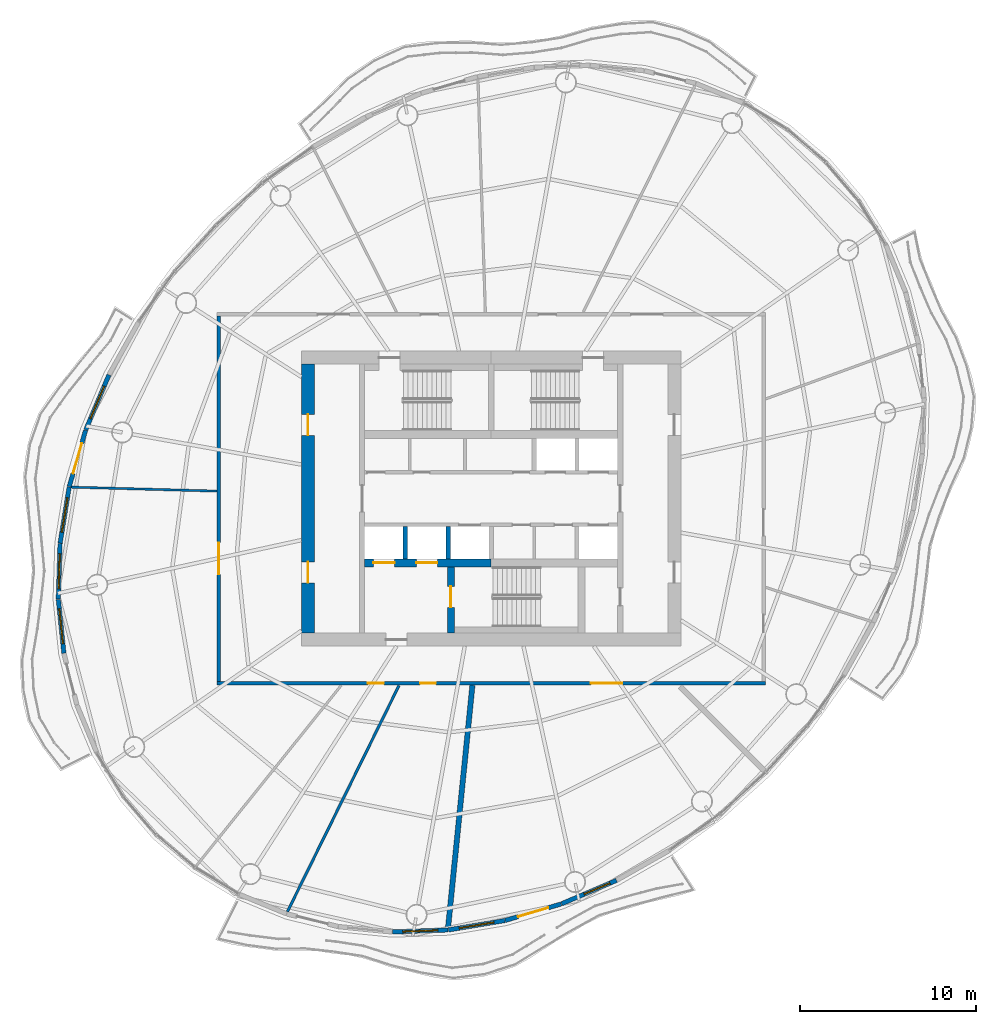
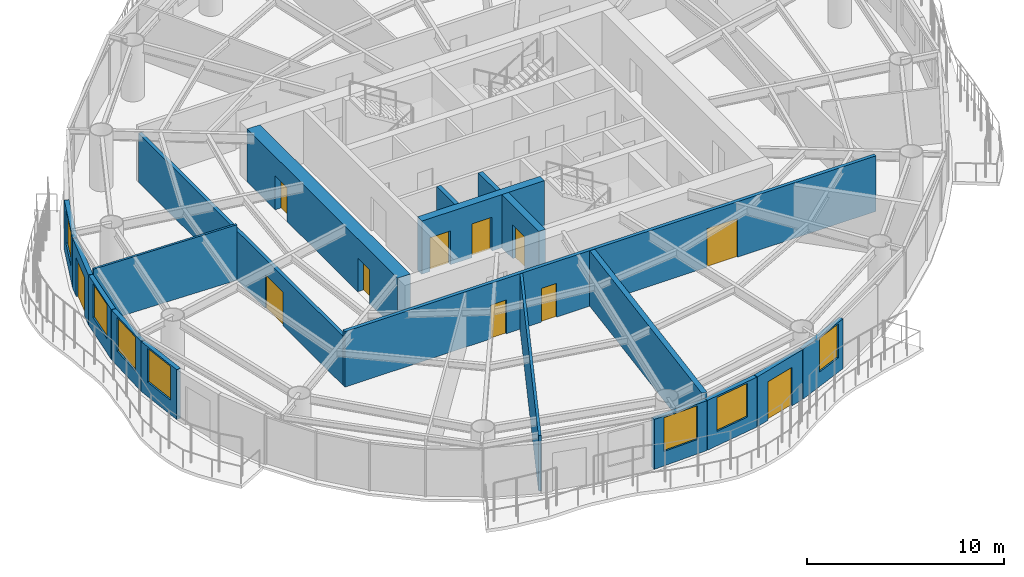
# One storey, part 8 of 14: 19 walls, 11 doors, 7 windows, 18 openings.
"""IFC4 building model written with IfcOpenShell, lengths in metres."""

from ifc_helpers import new_model, si_unit, direction, frame, frame_2d, origin, place, context, subcontext, project, spatial, rectangle, extrude, material, layer, layer_set, type_object, element, fill, save


model = new_model("IFC4")

# Units and contexts
model_context = context("Model", 3, precision=1e-05, world=origin(), true_north=direction((0.0, 1.0)))
body_context = subcontext(model_context, "Body", "Model", "MODEL_VIEW")
ifc_project = project(units=[si_unit("LENGTHUNIT", "METRE"), si_unit("AREAUNIT", "SQUARE_METRE"), si_unit("VOLUMEUNIT", "CUBIC_METRE"), si_unit("PLANEANGLEUNIT", "RADIAN"), si_unit("MASSUNIT", "GRAM", prefix="KILO")], contexts=[model_context])

# Site, building, storey
site_placement = place(None, origin())
site = spatial("IfcSite", under=ifc_project, at=site_placement, CompositionType="ELEMENT")
building_placement = place(site_placement, origin())
building = spatial("IfcBuilding", under=site, at=building_placement, Name="Vermilion Reach Broadcast Tower", CompositionType="ELEMENT")
storey_placement = place(building_placement, frame((0.0, 0.0, 213.699951171875)))
storey = spatial("IfcBuildingStorey", under=building, at=storey_placement, Name="L52", CompositionType="ELEMENT", Elevation=213.699951171875)

# Wall, opening, door
ifc_material_1 = material(Name="Concrete C60", Category="concrete")
ifc_layer_1 = layer(ifc_material_1, 0.39990234375)
ifc_layer_set_1 = layer_set([ifc_layer_1], Name="Core inner wall 400 mm Concrete C60")
wall_type_1 = type_object("IfcWallType", Name="Core inner wall 400 mm Concrete C60", PredefinedType="SHEAR", material=ifc_layer_set_1)
wall_1_placement = place(storey_placement, frame((-8.300048828125, -3.8798828125, 0.0), z_axis=(0.0, 0.0, 1.0), x_axis=(0.0, -1.0, 0.0)))
wall_1 = element("IfcWall", 1, at=wall_1_placement, inside=storey, type_object=wall_type_1, Name="L52 core wall wa", PredefinedType="SHEAR", context=body_context, shape_type="SweptSolid", body=[
    extrude(rectangle(XDim=3.77001953125, YDim=0.39990234375, at=frame_2d((1.885009765625, 0.0))), origin(), (0.0, 0.0, 1.0), 3.300048828125),
])
opening_1_placement = place(wall_1_placement, frame((1.110107421875, 0.0, 0.0)))
opening_1 = element("IfcOpeningElement", 2, at=opening_1_placement, cuts=wall_1, Name="Opening D01", PredefinedType="OPENING", context=body_context, shape_type="SweptSolid", body=[
    extrude(rectangle(XDim=1.199951171875, YDim=2.10009765625, at=frame_2d((0.60009765625, 1.050048828125))), frame((0.0, 0.2099609375, 0.0), z_axis=(0.0, -1.0, 0.0), x_axis=(1.0, 0.0, 0.0)), (0.0, 0.0, 1.0), 0.419921875),
])
ifc_material_2 = material(Name="Painted steel fire door", Category="steel")
door_type_1 = type_object("IfcDoorType", Name="Stair door 1200 x 2100", OperationType="DOUBLE_DOOR_SINGLE_SWING", PredefinedType="NOTDEFINED", material=ifc_material_2)
door_1_placement = place(opening_1_placement, origin())
door_1 = element("IfcDoor", 3, at=door_1_placement, inside=storey, type_object=door_type_1, Name="L52 stair door ST3", OperationType="DOUBLE_DOOR_SINGLE_SWING", OverallHeight=2.10009765625, OverallWidth=1.199951171875, PredefinedType="NOTDEFINED", context=body_context, shape_type="SweptSolid", body=[
    extrude(rectangle(XDim=1.199951171875, YDim=2.10009765625, at=frame_2d((0.60009765625, 1.050048828125))), frame((0.0, 0.02490234375, 0.0), z_axis=(0.0, -1.0, 0.0), x_axis=(1.0, 0.0, 0.0)), (0.0, 0.0, 1.0), 0.050048828125),
])
fill(opening_1, door_1)

# Wall, openings, doors
ifc_material_3 = material(Name="Concrete C60", Category="concrete")
ifc_layer_2 = layer(ifc_material_3, 0.449951171875)
ifc_layer_set_2 = layer_set([ifc_layer_2], Name="Core inner wall 450 mm Concrete C60")
wall_type_2 = type_object("IfcWallType", Name="Core inner wall 450 mm Concrete C60", PredefinedType="SHEAR", material=ifc_layer_set_2)
wall_2_placement = place(storey_placement, frame((-13.199951171875, -3.655029296875, 0.0), z_axis=(0.0, 0.0, 1.0), x_axis=(1.0, 0.0, 0.0)))
wall_2 = element("IfcWall", 4, at=wall_2_placement, inside=storey, type_object=wall_type_2, Name="L52 core wall wisW", PredefinedType="SHEAR", context=body_context, shape_type="SweptSolid", body=[
    extrude(rectangle(XDim=7.199951171875, YDim=0.449951171875, at=frame_2d((3.60009765625, 0.0))), origin(), (0.0, 0.0, 1.0), 3.300048828125),
])
opening_2_placement = place(wall_2_placement, frame((0.495849609375, 0.0, 0.0)))
opening_2 = element("IfcOpeningElement", 5, at=opening_2_placement, cuts=wall_2, Name="Opening LD1", PredefinedType="OPENING", context=body_context, shape_type="SweptSolid", body=[
    extrude(rectangle(XDim=1.199951171875, YDim=2.10009765625, at=frame_2d((0.60009765625, 1.050048828125))), frame((0.0, 0.23486328125, 0.0), z_axis=(0.0, -1.0, 0.0), x_axis=(1.0, 0.0, 0.0)), (0.0, 0.0, 1.0), 0.469970703125),
])
opening_3_placement = place(wall_2_placement, frame((2.9375, 0.0, 0.0)))
opening_3 = element("IfcOpeningElement", 6, at=opening_3_placement, cuts=wall_2, Name="Opening LD1", PredefinedType="OPENING", context=body_context, shape_type="SweptSolid", body=[
    extrude(rectangle(XDim=1.199951171875, YDim=2.10009765625, at=frame_2d((0.60009765625, 1.050048828125))), frame((0.0, 0.23486328125, 0.0), z_axis=(0.0, -1.0, 0.0), x_axis=(1.0, 0.0, 0.0)), (0.0, 0.0, 1.0), 0.469970703125),
])
ifc_material_4 = material(Name="Stainless steel", Category="steel")
door_type_2 = type_object("IfcDoorType", Name="Landing door 1200 x 2100", OperationType="DOUBLE_DOOR_SLIDING", PredefinedType="NOTDEFINED", material=ifc_material_4)
door_2_placement = place(opening_2_placement, origin())
door_2 = element("IfcDoor", 7, at=door_2_placement, inside=storey, type_object=door_type_2, Name="L52 landing door FF1", OperationType="DOUBLE_DOOR_SLIDING", OverallHeight=2.10009765625, OverallWidth=1.199951171875, PredefinedType="NOTDEFINED", context=body_context, shape_type="SweptSolid", body=[
    extrude(rectangle(XDim=1.199951171875, YDim=2.10009765625, at=frame_2d((0.60009765625, 1.050048828125))), frame((0.0, 0.02490234375, 0.0), z_axis=(0.0, -1.0, 0.0), x_axis=(1.0, 0.0, 0.0)), (0.0, 0.0, 1.0), 0.050048828125),
])
fill(opening_2, door_2)
door_3_placement = place(opening_3_placement, origin())
door_3 = element("IfcDoor", 8, at=door_3_placement, inside=storey, type_object=door_type_2, Name="L52 landing door FF2", OperationType="DOUBLE_DOOR_SLIDING", OverallHeight=2.10009765625, OverallWidth=1.199951171875, PredefinedType="NOTDEFINED", context=body_context, shape_type="SweptSolid", body=[
    extrude(rectangle(XDim=1.199951171875, YDim=2.10009765625, at=frame_2d((0.60009765625, 1.050048828125))), frame((0.0, 0.02490234375, 0.0), z_axis=(0.0, -1.0, 0.0), x_axis=(1.0, 0.0, 0.0)), (0.0, 0.0, 1.0), 0.050048828125),
])
fill(opening_3, door_3)

ifc_material_5 = material(Name="Concrete C60", Category="concrete")
ifc_layer_3 = layer(ifc_material_5, 0.75)
ifc_layer_set_3 = layer_set([ifc_layer_3], Name="Core outer wall 750 mm Concrete C60")
wall_type_3 = type_object("IfcWallType", Name="Core outer wall 750 mm Concrete C60", PredefinedType="SHEAR", material=ifc_layer_set_3)
wall_3_placement = place(storey_placement, frame((-16.425048828125, 7.64990234375, 0.0), z_axis=(0.0, 0.0, 1.0), x_axis=(0.0, -1.0, 0.0)))
wall_3 = element("IfcWall", 9, at=wall_3_placement, inside=storey, type_object=wall_type_3, Name="L52 core wall ow", PredefinedType="SHEAR", context=body_context, shape_type="SweptSolid", body=[
    extrude(rectangle(XDim=15.2998046875, YDim=0.75, at=frame_2d((7.64990234375, 0.0))), origin(), (0.0, 0.0, 1.0), 3.300048828125),
])
opening_4_placement = place(wall_3_placement, frame((11.25, 0.0, 0.0)))
opening_4 = element("IfcOpeningElement", 10, at=opening_4_placement, cuts=wall_3, Name="Opening D03", PredefinedType="OPENING", context=body_context, shape_type="SweptSolid", body=[
    extrude(rectangle(XDim=1.199951171875, YDim=2.10009765625, at=frame_2d((0.60009765625, 1.050048828125))), frame((0.0, 0.385009765625, 0.0), z_axis=(0.0, -1.0, 0.0), x_axis=(1.0, 0.0, 0.0)), (0.0, 0.0, 1.0), 0.77001953125),
])
opening_5_placement = place(wall_3_placement, frame((2.85009765625, 0.0, 0.0)))
opening_5 = element("IfcOpeningElement", 11, at=opening_5_placement, cuts=wall_3, Name="Opening D03", PredefinedType="OPENING", context=body_context, shape_type="SweptSolid", body=[
    extrude(rectangle(XDim=1.199951171875, YDim=2.10009765625, at=frame_2d((0.60009765625, 1.050048828125))), frame((0.0, 0.385009765625, 0.0), z_axis=(0.0, -1.0, 0.0), x_axis=(1.0, 0.0, 0.0)), (0.0, 0.0, 1.0), 0.77001953125),
])
ifc_material_6 = material(Name="Painted steel fire door", Category="steel")
door_type_3 = type_object("IfcDoorType", Name="Core lobby door 1200 x 2100", OperationType="DOUBLE_DOOR_SINGLE_SWING", PredefinedType="NOTDEFINED", material=ifc_material_6)
door_4_placement = place(opening_4_placement, origin())
door_4 = element("IfcDoor", 12, at=door_4_placement, inside=storey, type_object=door_type_3, Name="L52 slot door W0", OperationType="DOUBLE_DOOR_SINGLE_SWING", OverallHeight=2.10009765625, OverallWidth=1.199951171875, PredefinedType="NOTDEFINED", context=body_context, shape_type="SweptSolid", body=[
    extrude(rectangle(XDim=1.199951171875, YDim=2.10009765625, at=frame_2d((0.60009765625, 1.050048828125))), frame((0.0, 0.02490234375, 0.0), z_axis=(0.0, -1.0, 0.0), x_axis=(1.0, 0.0, 0.0)), (0.0, 0.0, 1.0), 0.050048828125),
])
fill(opening_4, door_4)
door_5_placement = place(opening_5_placement, origin())
door_5 = element("IfcDoor", 13, at=door_5_placement, inside=storey, type_object=door_type_3, Name="L52 slot door W1", OperationType="DOUBLE_DOOR_SINGLE_SWING", OverallHeight=2.10009765625, OverallWidth=1.199951171875, PredefinedType="NOTDEFINED", context=body_context, shape_type="SweptSolid", body=[
    extrude(rectangle(XDim=1.199951171875, YDim=2.10009765625, at=frame_2d((0.60009765625, 1.050048828125))), frame((0.0, 0.02490234375, 0.0), z_axis=(0.0, -1.0, 0.0), x_axis=(1.0, 0.0, 0.0)), (0.0, 0.0, 1.0), 0.050048828125),
])
fill(opening_5, door_5)

# Walls
ifc_material_7 = material(Name="Concrete C50", Category="concrete")
ifc_layer_4 = layer(ifc_material_7, 0.25)
ifc_layer_set_4 = layer_set([ifc_layer_4], Name="Core shaft wall 250 mm Concrete C50")
wall_type_4 = type_object("IfcWallType", Name="Core shaft wall 250 mm Concrete C50", PredefinedType="SHEAR", material=ifc_layer_set_4)
for number, where, z_axis, x_axis, name in (
    (14, (-10.88330078125, -1.60009765625, 0.0), (0.0, 0.0, 1.0), (0.0, -1.0, 0.0), "L52 core wall psS0"),
    (15, (-8.441650390625, -1.60009765625, 0.0), (0.0, 0.0, 1.0), (0.0, -1.0, 0.0), "L52 core wall psS1"),
):
    element("IfcWall", number, at=place(storey_placement, frame(where, z_axis=z_axis, x_axis=x_axis)), inside=storey, type_object=wall_type_4, Name=name, PredefinedType="SHEAR", context=body_context, shape_type="SweptSolid", body=[
        extrude(rectangle(XDim=1.829833984375, YDim=0.25, at=frame_2d((0.9150390625, 0.0))), origin(), (0.0, 0.0, 1.0), 3.300048828125),
    ])

# Wall, openings, doors
ifc_material_8 = material(Name="Fire-rated gypsum board partition")
ifc_layer_5 = layer(ifc_material_8, 0.199951171875)
ifc_layer_set_5 = layer_set([ifc_layer_5], Name="Corridor wall 200 fire-rated")
wall_type_5 = type_object("IfcWallType", Name="Corridor wall 200 fire-rated", PredefinedType="PARTITIONING", material=ifc_layer_set_5)
wall_4_placement = place(storey_placement, frame((9.60009765625, -10.5, 0.0), z_axis=(0.0, 0.0, 1.0), x_axis=(-1.0, 0.0, 0.0)))
wall_4 = element("IfcWall", 16, at=wall_4_placement, inside=storey, type_object=wall_type_5, Name="Corridor wall 52.S", PredefinedType="PARTITIONING", context=body_context, shape_type="SweptSolid", body=[
    extrude(rectangle(XDim=31.2001953125, YDim=0.199951171875, at=frame_2d((15.60009765625, 0.0))), origin(), (0.0, 0.0, 1.0), 3.449951171875),
])
opening_6_placement = place(wall_4_placement, frame((21.715087890625, 0.0, 0.0)))
opening_6 = element("IfcOpeningElement", 17, at=opening_6_placement, cuts=wall_4, Name="Opening D22", PredefinedType="OPENING", context=body_context, shape_type="SweptSolid", body=[
    extrude(rectangle(XDim=0.89990234375, YDim=2.10009765625, at=frame_2d((0.449951171875, 1.050048828125))), frame((0.0, 0.10986328125, 0.0), z_axis=(0.0, -1.0, 0.0), x_axis=(1.0, 0.0, 0.0)), (0.0, 0.0, 1.0), 0.219970703125),
])
opening_7_placement = place(wall_4_placement, frame((18.750732421875, 0.0, 0.0)))
opening_7 = element("IfcOpeningElement", 18, at=opening_7_placement, cuts=wall_4, Name="Opening D22", PredefinedType="OPENING", context=body_context, shape_type="SweptSolid", body=[
    extrude(rectangle(XDim=0.89990234375, YDim=2.10009765625, at=frame_2d((0.449951171875, 1.050048828125))), frame((0.0, 0.10986328125, 0.0), z_axis=(0.0, -1.0, 0.0), x_axis=(1.0, 0.0, 0.0)), (0.0, 0.0, 1.0), 0.219970703125),
])
opening_8_placement = place(wall_4_placement, frame((8.128662109375, 0.0, 0.0)))
opening_8 = element("IfcOpeningElement", 19, at=opening_8_placement, cuts=wall_4, Name="Opening D27", PredefinedType="OPENING", context=body_context, shape_type="SweptSolid", body=[
    extrude(rectangle(XDim=1.800048828125, YDim=2.39990234375, at=frame_2d((0.89990234375, 1.199951171875))), frame((0.0, 0.10986328125, 0.0), z_axis=(0.0, -1.0, 0.0), x_axis=(1.0, 0.0, 0.0)), (0.0, 0.0, 1.0), 0.219970703125),
])
ifc_material_9 = material(Name="Acoustic timber door leaf", Category="wood")
door_type_4 = type_object("IfcDoorType", Name="Door pair 1800x2400", OperationType="NOTDEFINED", PredefinedType="DOOR", material=ifc_material_9)
door_6_placement = place(opening_8_placement, origin())
door_6 = element("IfcDoor", 20, at=door_6_placement, inside=storey, type_object=door_type_4, Name="Door 52.07", OperationType="DOUBLE_DOOR_SINGLE_SWING", OverallHeight=2.39990234375, OverallWidth=1.800048828125, PredefinedType="DOOR", context=body_context, shape_type="SweptSolid", body=[
    extrude(rectangle(XDim=1.800048828125, YDim=2.39990234375, at=frame_2d((0.89990234375, 1.199951171875))), frame((0.0, 0.02490234375, 0.0), z_axis=(0.0, -1.0, 0.0), x_axis=(1.0, 0.0, 0.0)), (0.0, 0.0, 1.0), 0.050048828125),
])
fill(opening_8, door_6)
ifc_material_10 = material(Name="Timber door leaf", Category="wood")
door_type_5 = type_object("IfcDoorType", Name="Door single 900x2100", OperationType="NOTDEFINED", PredefinedType="DOOR", material=ifc_material_10)
door_7_placement = place(opening_6_placement, origin())
door_7 = element("IfcDoor", 21, at=door_7_placement, inside=storey, type_object=door_type_5, Name="Door 52.05", OperationType="SINGLE_SWING_LEFT", OverallHeight=2.10009765625, OverallWidth=0.89990234375, PredefinedType="DOOR", context=body_context, shape_type="SweptSolid", body=[
    extrude(rectangle(XDim=0.89990234375, YDim=2.10009765625, at=frame_2d((0.449951171875, 1.050048828125))), frame((0.0, 0.02490234375, 0.0), z_axis=(0.0, -1.0, 0.0), x_axis=(1.0, 0.0, 0.0)), (0.0, 0.0, 1.0), 0.050048828125),
])
fill(opening_6, door_7)
door_8_placement = place(opening_7_placement, origin())
door_8 = element("IfcDoor", 22, at=door_8_placement, inside=storey, type_object=door_type_5, Name="Door 52.06", OperationType="SINGLE_SWING_RIGHT", OverallHeight=2.10009765625, OverallWidth=0.89990234375, PredefinedType="DOOR", context=body_context, shape_type="SweptSolid", body=[
    extrude(rectangle(XDim=0.89990234375, YDim=2.10009765625, at=frame_2d((0.449951171875, 1.050048828125))), frame((0.0, 0.02490234375, 0.0), z_axis=(0.0, -1.0, 0.0), x_axis=(1.0, 0.0, 0.0)), (0.0, 0.0, 1.0), 0.050048828125),
])
fill(opening_7, door_8)

# Walls
ifc_material_11 = material(Name="Fire-rated plasterboard on steel stud", Category="steel")
ifc_layer_6 = layer(ifc_material_11, 0.125)
ifc_layer_set_6 = layer_set([ifc_layer_6], Name="Partition 125 fire-rated stud")
wall_type_6 = type_object("IfcWallType", Name="Partition 125 fire-rated stud", PredefinedType="PARTITIONING", material=ifc_layer_set_6)
wall_5_placement = place(storey_placement, frame((-29.895263671875, 0.65380859375, 0.0), z_axis=(0.0, 0.0, 1.0), x_axis=(0.999626262379, -0.02733743885, 0.0)))
element("IfcWall", 23, at=wall_5_placement, inside=storey, type_object=wall_type_6, Name="Partition 52.04", PredefinedType="PARTITIONING", context=body_context, shape_type="SweptSolid", body=[
    extrude(rectangle(XDim=8.296630859375, YDim=0.125, at=frame_2d((4.1484375, 0.0))), origin(), (0.0, 0.0, 1.0), 3.449951171875),
])
ifc_material_12 = material(Name="Lightweight concrete block, plastered", Category="concrete")
ifc_layer_7 = layer(ifc_material_12, 0.14990234375)
ifc_layer_set_7 = layer_set([ifc_layer_7], Name="Partition 150 lightweight block")
wall_type_7 = type_object("IfcWallType", Name="Partition 150 lightweight block", PredefinedType="PARTITIONING", material=ifc_layer_set_7)
wall_6_placement = place(storey_placement, frame((-17.6025390625, -23.515380859375, 0.0), z_axis=(0.0, 0.0, 1.0), x_axis=(0.442482556449, 0.896777111237, 0.0)))
element("IfcWall", 24, at=wall_6_placement, inside=storey, type_object=wall_type_7, Name="Partition 52.06", PredefinedType="PARTITIONING", context=body_context, shape_type="SweptSolid", body=[
    extrude(rectangle(XDim=14.36474609375, YDim=0.14990234375, at=frame_2d((7.182373046875, 0.0))), origin(), (0.0, 0.0, 1.0), 3.449951171875),
])
ifc_material_13 = material(Name="Double-leaf plasterboard on isolated steel stud", Category="steel")
ifc_layer_8 = layer(ifc_material_13, 0.300048828125)
ifc_layer_set_8 = layer_set([ifc_layer_8], Name="Partition 300 acoustic double leaf")
wall_type_8 = type_object("IfcWallType", Name="Partition 300 acoustic double leaf", PredefinedType="PARTITIONING", material=ifc_layer_set_8)
wall_7_placement = place(storey_placement, frame((-8.4560546875, -24.4248046875, 0.0), z_axis=(0.0, 0.0, 1.0), x_axis=(0.100052305019, 0.994982178866, 0.0)))
element("IfcWall", 25, at=wall_7_placement, inside=storey, type_object=wall_type_8, Name="Partition 52.07", PredefinedType="PARTITIONING", context=body_context, shape_type="SweptSolid", body=[
    extrude(rectangle(XDim=13.87939453125, YDim=0.300048828125, at=frame_2d((6.939697265625, 0.0))), origin(), (0.0, 0.0, 1.0), 3.449951171875),
])

# Wall, opening, window
ifc_material_14 = material(Name="Terracotta rainscreen cladding", Category="masonry")
ifc_layer_9 = layer(ifc_material_14, 0.25)
ifc_layer_set_9 = layer_set([ifc_layer_9], Name="Terracotta rainscreen wall 250")
wall_type_9 = type_object("IfcWallType", Name="Terracotta rainscreen wall 250", PredefinedType="SOLIDWALL", material=ifc_layer_set_9)
wall_8_placement = place(storey_placement, frame((-27.758056640625, 7.040771484375, 0.0), z_axis=(0.0, 0.0, 1.0), x_axis=(-0.388763390527, -0.921337628769, 0.0)))
wall_8 = element("IfcWall", 26, at=wall_8_placement, inside=storey, type_object=wall_type_9, Name="External wall L52 15", PredefinedType="SOLIDWALL", context=body_context, shape_type="SweptSolid", body=[
    extrude(rectangle(XDim=3.398681640625, YDim=0.25, at=frame_2d((1.69921875, 0.0))), origin(), (0.0, 0.0, 1.0), 3.10009765625),
])
opening_9_placement = place(wall_8_placement, frame((0.69921875, 0.0, 0.89990234375)))
opening_9 = element("IfcOpeningElement", 27, at=opening_9_placement, cuts=wall_8, Name="Opening W03", PredefinedType="OPENING", context=body_context, shape_type="SweptSolid", body=[
    extrude(rectangle(XDim=2.0, YDim=2.10009765625, at=frame_2d((1.0, 1.050048828125))), frame((0.0, 0.135009765625, 0.0), z_axis=(0.0, -1.0, 0.0), x_axis=(1.0, 0.0, 0.0)), (0.0, 0.0, 1.0), 0.27001953125),
])
ifc_material_15 = material(Name="Low-e laminated clear glass in aluminium frame", Category="aluminium")
window_type_1 = type_object("IfcWindowType", Name="Punched window 2000 x 2100 sill 900", PartitioningType="SINGLE_PANEL", PredefinedType="WINDOW", material=ifc_material_15)
window_1_placement = place(opening_9_placement, origin())
window_1 = element("IfcWindow", 28, at=window_1_placement, inside=storey, type_object=window_type_1, Name="Window L52 15", OverallHeight=2.10009765625, OverallWidth=2.0, PartitioningType="SINGLE_PANEL", PredefinedType="WINDOW", context=body_context, shape_type="SweptSolid", body=[
    extrude(rectangle(XDim=2.0, YDim=2.10009765625, at=frame_2d((1.0, 1.050048828125))), frame((0.0, 0.030029296875, 0.0), z_axis=(0.0, -1.0, 0.0), x_axis=(1.0, 0.0, 0.0)), (0.0, 0.0, 1.0), 0.06005859375),
])
fill(opening_9, window_1)

# Wall, opening, door
wall_9_placement = place(storey_placement, frame((-29.0869140625, 3.88818359375, 0.0), z_axis=(0.0, 0.0, 1.0), x_axis=(-0.278604991916, -0.960405778033, 0.0)))
wall_9 = element("IfcWall", 29, at=wall_9_placement, inside=storey, type_object=wall_type_9, Name="External wall L52 16", PredefinedType="SOLIDWALL", context=body_context, shape_type="SweptSolid", body=[
    extrude(rectangle(XDim=3.327392578125, YDim=0.25, at=frame_2d((1.66357421875, 0.0))), origin(), (0.0, 0.0, 1.0), 3.10009765625),
])
opening_10_placement = place(wall_9_placement, frame((0.763916015625, 0.0, 0.0)))
opening_10 = element("IfcOpeningElement", 30, at=opening_10_placement, cuts=wall_9, Name="Opening D70", PredefinedType="OPENING", context=body_context, shape_type="SweptSolid", body=[
    extrude(rectangle(XDim=1.800048828125, YDim=2.39990234375, at=frame_2d((0.89990234375, 1.199951171875))), frame((0.0, 0.135009765625, 0.0), z_axis=(0.0, -1.0, 0.0), x_axis=(1.0, 0.0, 0.0)), (0.0, 0.0, 1.0), 0.27001953125),
])
ifc_material_16 = material(Name="Low-e laminated clear glass in aluminium frame", Category="aluminium")
door_type_6 = type_object("IfcDoorType", Name="Balcony sliding door 1800 x 2400", OperationType="DOUBLE_DOOR_SLIDING", PredefinedType="DOOR", material=ifc_material_16)
door_9_placement = place(opening_10_placement, origin())
door_9 = element("IfcDoor", 31, at=door_9_placement, inside=storey, type_object=door_type_6, Name="Balcony door L52 run 04", OperationType="DOUBLE_DOOR_SLIDING", OverallHeight=2.39990234375, OverallWidth=1.800048828125, PredefinedType="DOOR", context=body_context, shape_type="SweptSolid", body=[
    extrude(rectangle(XDim=1.800048828125, YDim=2.39990234375, at=frame_2d((0.89990234375, 1.199951171875))), frame((0.0, 0.02490234375, 0.0), z_axis=(0.0, -1.0, 0.0), x_axis=(1.0, 0.0, 0.0)), (0.0, 0.0, 1.0), 0.050048828125),
])
fill(opening_10, door_9)

# Wall, opening, window
wall_10_placement = place(storey_placement, frame((-30.01904296875, 0.669921875, 0.0), z_axis=(0.0, 0.0, 1.0), x_axis=(-0.159457089841, -0.987204860452, 0.0)))
wall_10 = element("IfcWall", 32, at=wall_10_placement, inside=storey, type_object=wall_type_9, Name="External wall L52 17", PredefinedType="SOLIDWALL", context=body_context, shape_type="SweptSolid", body=[
    extrude(rectangle(XDim=3.245849609375, YDim=0.25, at=frame_2d((1.623046875, 0.0))), origin(), (0.0, 0.0, 1.0), 3.10009765625),
])
opening_11_placement = place(wall_10_placement, frame((0.623046875, 0.0, 0.89990234375)))
opening_11 = element("IfcOpeningElement", 33, at=opening_11_placement, cuts=wall_10, Name="Opening W03", PredefinedType="OPENING", context=body_context, shape_type="SweptSolid", body=[
    extrude(rectangle(XDim=2.0, YDim=2.10009765625, at=frame_2d((1.0, 1.050048828125))), frame((0.0, 0.135009765625, 0.0), z_axis=(0.0, -1.0, 0.0), x_axis=(1.0, 0.0, 0.0)), (0.0, 0.0, 1.0), 0.27001953125),
])
window_2_placement = place(opening_11_placement, origin())
window_2 = element("IfcWindow", 34, at=window_2_placement, inside=storey, type_object=window_type_1, Name="Window L52 17", OverallHeight=2.10009765625, OverallWidth=2.0, PartitioningType="SINGLE_PANEL", PredefinedType="WINDOW", context=body_context, shape_type="SweptSolid", body=[
    extrude(rectangle(XDim=2.0, YDim=2.10009765625, at=frame_2d((1.0, 1.050048828125))), frame((0.0, 0.030029296875, 0.0), z_axis=(0.0, -1.0, 0.0), x_axis=(1.0, 0.0, 0.0)), (0.0, 0.0, 1.0), 0.06005859375),
])
fill(opening_11, window_2)

wall_11_placement = place(storey_placement, frame((-30.5390625, -2.558349609375, 0.0), z_axis=(0.0, 0.0, 1.0), x_axis=(-0.031760681262, -0.999495502304, 0.0)))
wall_11 = element("IfcWall", 35, at=wall_11_placement, inside=storey, type_object=wall_type_9, Name="External wall L52 18", PredefinedType="SOLIDWALL", context=body_context, shape_type="SweptSolid", body=[
    extrude(rectangle(XDim=3.159423828125, YDim=0.25, at=frame_2d((1.57958984375, 0.0))), origin(), (0.0, 0.0, 1.0), 3.10009765625),
])
opening_12_placement = place(wall_11_placement, frame((0.57958984375, 0.0, 0.89990234375)))
opening_12 = element("IfcOpeningElement", 36, at=opening_12_placement, cuts=wall_11, Name="Opening W03", PredefinedType="OPENING", context=body_context, shape_type="SweptSolid", body=[
    extrude(rectangle(XDim=2.0, YDim=2.10009765625, at=frame_2d((1.0, 1.050048828125))), frame((0.0, 0.135009765625, 0.0), z_axis=(0.0, -1.0, 0.0), x_axis=(1.0, 0.0, 0.0)), (0.0, 0.0, 1.0), 0.27001953125),
])
window_3_placement = place(opening_12_placement, origin())
window_3 = element("IfcWindow", 37, at=window_3_placement, inside=storey, type_object=window_type_1, Name="Window L52 18", OverallHeight=2.10009765625, OverallWidth=2.0, PartitioningType="SINGLE_PANEL", PredefinedType="WINDOW", context=body_context, shape_type="SweptSolid", body=[
    extrude(rectangle(XDim=2.0, YDim=2.10009765625, at=frame_2d((1.0, 1.050048828125))), frame((0.0, 0.030029296875, 0.0), z_axis=(0.0, -1.0, 0.0), x_axis=(1.0, 0.0, 0.0)), (0.0, 0.0, 1.0), 0.06005859375),
])
fill(opening_12, window_3)

wall_12_placement = place(storey_placement, frame((-30.638671875, -5.740966796875, 0.0), z_axis=(0.0, 0.0, 1.0), x_axis=(0.10327045025, -0.994653313524, 0.0)))
wall_12 = element("IfcWall", 38, at=wall_12_placement, inside=storey, type_object=wall_type_9, Name="External wall L52 19", PredefinedType="SOLIDWALL", context=body_context, shape_type="SweptSolid", body=[
    extrude(rectangle(XDim=3.0732421875, YDim=0.25, at=frame_2d((1.53662109375, 0.0))), origin(), (0.0, 0.0, 1.0), 3.10009765625),
])
opening_13_placement = place(wall_12_placement, frame((0.53662109375, 0.0, 0.89990234375)))
opening_13 = element("IfcOpeningElement", 39, at=opening_13_placement, cuts=wall_12, Name="Opening W03", PredefinedType="OPENING", context=body_context, shape_type="SweptSolid", body=[
    extrude(rectangle(XDim=2.0, YDim=2.10009765625, at=frame_2d((1.0, 1.050048828125))), frame((0.0, 0.135009765625, 0.0), z_axis=(0.0, -1.0, 0.0), x_axis=(1.0, 0.0, 0.0)), (0.0, 0.0, 1.0), 0.27001953125),
])
window_4_placement = place(opening_13_placement, origin())
window_4 = element("IfcWindow", 40, at=window_4_placement, inside=storey, type_object=window_type_1, Name="Window L52 19", OverallHeight=2.10009765625, OverallWidth=2.0, PartitioningType="SINGLE_PANEL", PredefinedType="WINDOW", context=body_context, shape_type="SweptSolid", body=[
    extrude(rectangle(XDim=2.0, YDim=2.10009765625, at=frame_2d((1.0, 1.050048828125))), frame((0.0, 0.030029296875, 0.0), z_axis=(0.0, -1.0, 0.0), x_axis=(1.0, 0.0, 0.0)), (0.0, 0.0, 1.0), 0.06005859375),
])
fill(opening_13, window_4)

wall_13_placement = place(storey_placement, frame((-11.61279296875, -24.663330078125, 0.0), z_axis=(0.0, 0.0, 1.0), x_axis=(0.999351383862, 0.036011270096, 0.0)))
wall_13 = element("IfcWall", 41, at=wall_13_placement, inside=storey, type_object=wall_type_9, Name="External wall L52 29", PredefinedType="SOLIDWALL", context=body_context, shape_type="SweptSolid", body=[
    extrude(rectangle(XDim=3.1591796875, YDim=0.25, at=frame_2d((1.57958984375, 0.0))), origin(), (0.0, 0.0, 1.0), 3.10009765625),
])
opening_14_placement = place(wall_13_placement, frame((0.57958984375, 0.0, 0.89990234375)))
opening_14 = element("IfcOpeningElement", 42, at=opening_14_placement, cuts=wall_13, Name="Opening W03", PredefinedType="OPENING", context=body_context, shape_type="SweptSolid", body=[
    extrude(rectangle(XDim=2.0, YDim=2.10009765625, at=frame_2d((1.0, 1.050048828125))), frame((0.0, 0.135009765625, 0.0), z_axis=(0.0, -1.0, 0.0), x_axis=(1.0, 0.0, 0.0)), (0.0, 0.0, 1.0), 0.27001953125),
])
window_5_placement = place(opening_14_placement, origin())
window_5 = element("IfcWindow", 43, at=window_5_placement, inside=storey, type_object=window_type_1, Name="Window L52 29", OverallHeight=2.10009765625, OverallWidth=2.0, PartitioningType="SINGLE_PANEL", PredefinedType="WINDOW", context=body_context, shape_type="SweptSolid", body=[
    extrude(rectangle(XDim=2.0, YDim=2.10009765625, at=frame_2d((1.0, 1.050048828125))), frame((0.0, 0.030029296875, 0.0), z_axis=(0.0, -1.0, 0.0), x_axis=(1.0, 0.0, 0.0)), (0.0, 0.0, 1.0), 0.06005859375),
])
fill(opening_14, window_5)

wall_14_placement = place(storey_placement, frame((-8.431640625, -24.547119140625, 0.0), z_axis=(0.0, 0.0, 1.0), x_axis=(0.986515622096, 0.163667123641, 0.0)))
wall_14 = element("IfcWall", 44, at=wall_14_placement, inside=storey, type_object=wall_type_9, Name="External wall L52 30", PredefinedType="SOLIDWALL", context=body_context, shape_type="SweptSolid", body=[
    extrude(rectangle(XDim=3.245849609375, YDim=0.25, at=frame_2d((1.623046875, 0.0))), origin(), (0.0, 0.0, 1.0), 3.10009765625),
])
opening_15_placement = place(wall_14_placement, frame((0.623046875, 0.0, 0.89990234375)))
opening_15 = element("IfcOpeningElement", 45, at=opening_15_placement, cuts=wall_14, Name="Opening W03", PredefinedType="OPENING", context=body_context, shape_type="SweptSolid", body=[
    extrude(rectangle(XDim=2.0, YDim=2.10009765625, at=frame_2d((1.0, 1.050048828125))), frame((0.0, 0.135009765625, 0.0), z_axis=(0.0, -1.0, 0.0), x_axis=(1.0, 0.0, 0.0)), (0.0, 0.0, 1.0), 0.27001953125),
])
window_6_placement = place(opening_15_placement, origin())
window_6 = element("IfcWindow", 46, at=window_6_placement, inside=storey, type_object=window_type_1, Name="Window L52 30", OverallHeight=2.10009765625, OverallWidth=2.0, PartitioningType="SINGLE_PANEL", PredefinedType="WINDOW", context=body_context, shape_type="SweptSolid", body=[
    extrude(rectangle(XDim=2.0, YDim=2.10009765625, at=frame_2d((1.0, 1.050048828125))), frame((0.0, 0.030029296875, 0.0), z_axis=(0.0, -1.0, 0.0), x_axis=(1.0, 0.0, 0.0)), (0.0, 0.0, 1.0), 0.06005859375),
])
fill(opening_15, window_6)

# Wall, opening, door
wall_15_placement = place(storey_placement, frame((-5.206787109375, -24.0107421875, 0.0), z_axis=(0.0, 0.0, 1.0), x_axis=(0.959226347216, 0.282639018548, 0.0)))
wall_15 = element("IfcWall", 47, at=wall_15_placement, inside=storey, type_object=wall_type_9, Name="External wall L52 31", PredefinedType="SOLIDWALL", context=body_context, shape_type="SweptSolid", body=[
    extrude(rectangle(XDim=3.327392578125, YDim=0.25, at=frame_2d((1.66357421875, 0.0))), origin(), (0.0, 0.0, 1.0), 3.10009765625),
])
opening_16_placement = place(wall_15_placement, frame((0.763916015625, 0.0, 0.0)))
opening_16 = element("IfcOpeningElement", 48, at=opening_16_placement, cuts=wall_15, Name="Opening D70", PredefinedType="OPENING", context=body_context, shape_type="SweptSolid", body=[
    extrude(rectangle(XDim=1.800048828125, YDim=2.39990234375, at=frame_2d((0.89990234375, 1.199951171875))), frame((0.0, 0.135009765625, 0.0), z_axis=(0.0, -1.0, 0.0), x_axis=(1.0, 0.0, 0.0)), (0.0, 0.0, 1.0), 0.27001953125),
])
door_10_placement = place(opening_16_placement, origin())
door_10 = element("IfcDoor", 49, at=door_10_placement, inside=storey, type_object=door_type_6, Name="Balcony door L52 run 08", OperationType="DOUBLE_DOOR_SLIDING", OverallHeight=2.39990234375, OverallWidth=1.800048828125, PredefinedType="DOOR", context=body_context, shape_type="SweptSolid", body=[
    extrude(rectangle(XDim=1.800048828125, YDim=2.39990234375, at=frame_2d((0.89990234375, 1.199951171875))), frame((0.0, 0.02490234375, 0.0), z_axis=(0.0, -1.0, 0.0), x_axis=(1.0, 0.0, 0.0)), (0.0, 0.0, 1.0), 0.050048828125),
])
fill(opening_16, door_10)

# Wall, opening, window
wall_16_placement = place(storey_placement, frame((-1.993896484375, -23.062744140625, 0.0), z_axis=(0.0, 0.0, 1.0), x_axis=(0.919690332373, 0.392644486195, 0.0)))
wall_16 = element("IfcWall", 50, at=wall_16_placement, inside=storey, type_object=wall_type_9, Name="External wall L52 32", PredefinedType="SOLIDWALL", context=body_context, shape_type="SweptSolid", body=[
    extrude(rectangle(XDim=3.398681640625, YDim=0.25, at=frame_2d((1.69921875, 0.0))), origin(), (0.0, 0.0, 1.0), 3.10009765625),
])
opening_17_placement = place(wall_16_placement, frame((1.39892578125, 0.0, 0.89990234375)))
opening_17 = element("IfcOpeningElement", 51, at=opening_17_placement, cuts=wall_16, Name="Opening W04", PredefinedType="OPENING", context=body_context, shape_type="SweptSolid", body=[
    extrude(rectangle(XDim=1.60009765625, YDim=2.10009765625, at=frame_2d((0.800048828125, 1.050048828125))), frame((0.0, 0.135009765625, 0.0), z_axis=(0.0, -1.0, 0.0), x_axis=(1.0, 0.0, 0.0)), (0.0, 0.0, 1.0), 0.27001953125),
])
ifc_material_17 = material(Name="Low-e laminated clear glass in aluminium frame", Category="aluminium")
window_type_2 = type_object("IfcWindowType", Name="Punched window 1600 x 2100 sill 900", PartitioningType="SINGLE_PANEL", PredefinedType="WINDOW", material=ifc_material_17)
window_7_placement = place(opening_17_placement, origin())
window_7 = element("IfcWindow", 52, at=window_7_placement, inside=storey, type_object=window_type_2, Name="Window L52 32", OverallHeight=2.10009765625, OverallWidth=1.60009765625, PartitioningType="SINGLE_PANEL", PredefinedType="WINDOW", context=body_context, shape_type="SweptSolid", body=[
    extrude(rectangle(XDim=1.60009765625, YDim=2.10009765625, at=frame_2d((0.800048828125, 1.050048828125))), frame((0.0, 0.030029296875, 0.0), z_axis=(0.0, -1.0, 0.0), x_axis=(1.0, 0.0, 0.0)), (0.0, 0.0, 1.0), 0.06005859375),
])
fill(opening_17, window_7)

# Wall, opening, door
ifc_material_18 = material(Name="Fire-rated gypsum board partition")
ifc_layer_10 = layer(ifc_material_18, 0.199951171875)
ifc_layer_set_10 = layer_set([ifc_layer_10], Name="Under girder: Corridor wall 200 fire-rated")
wall_type_10 = type_object("IfcWallType", Name="Under girder: Corridor wall 200 fire-rated", PredefinedType="PARTITIONING", material=ifc_layer_set_10)
wall_17_placement = place(storey_placement, frame((-21.5, -10.39990234375, 0.0), z_axis=(0.0, 0.0, 1.0), x_axis=(0.0, 1.0, 0.0)))
wall_17 = element("IfcWall", 53, at=wall_17_placement, inside=storey, type_object=wall_type_10, Name="Corridor wall 52.W", PredefinedType="PARTITIONING", context=body_context, shape_type="SweptSolid", body=[
    extrude(rectangle(XDim=20.7998046875, YDim=0.199951171875, at=frame_2d((10.39990234375, 0.0))), origin(), (0.0, 0.0, 1.0), 3.050048828125),
])
opening_18_placement = place(wall_17_placement, frame((6.09375, 0.0, 0.0)))
opening_18 = element("IfcOpeningElement", 54, at=opening_18_placement, cuts=wall_17, Name="Opening D21", PredefinedType="OPENING", context=body_context, shape_type="SweptSolid", body=[
    extrude(rectangle(XDim=1.800048828125, YDim=2.10009765625, at=frame_2d((0.89990234375, 1.050048828125))), frame((0.0, 0.10986328125, 0.0), z_axis=(0.0, -1.0, 0.0), x_axis=(1.0, 0.0, 0.0)), (0.0, 0.0, 1.0), 0.219970703125),
])
ifc_material_19 = material(Name="Timber door leaf", Category="wood")
door_type_7 = type_object("IfcDoorType", Name="Door pair 1800x2100", OperationType="NOTDEFINED", PredefinedType="DOOR", material=ifc_material_19)
door_11_placement = place(opening_18_placement, origin())
door_11 = element("IfcDoor", 55, at=door_11_placement, inside=storey, type_object=door_type_7, Name="Door 52.04", OperationType="DOUBLE_DOOR_SINGLE_SWING", OverallHeight=2.10009765625, OverallWidth=1.800048828125, PredefinedType="DOOR", context=body_context, shape_type="SweptSolid", body=[
    extrude(rectangle(XDim=1.800048828125, YDim=2.10009765625, at=frame_2d((0.89990234375, 1.050048828125))), frame((0.0, 0.02490234375, 0.0), z_axis=(0.0, -1.0, 0.0), x_axis=(1.0, 0.0, 0.0)), (0.0, 0.0, 1.0), 0.050048828125),
])
fill(opening_18, door_11)

save(model, "model.ifc")
